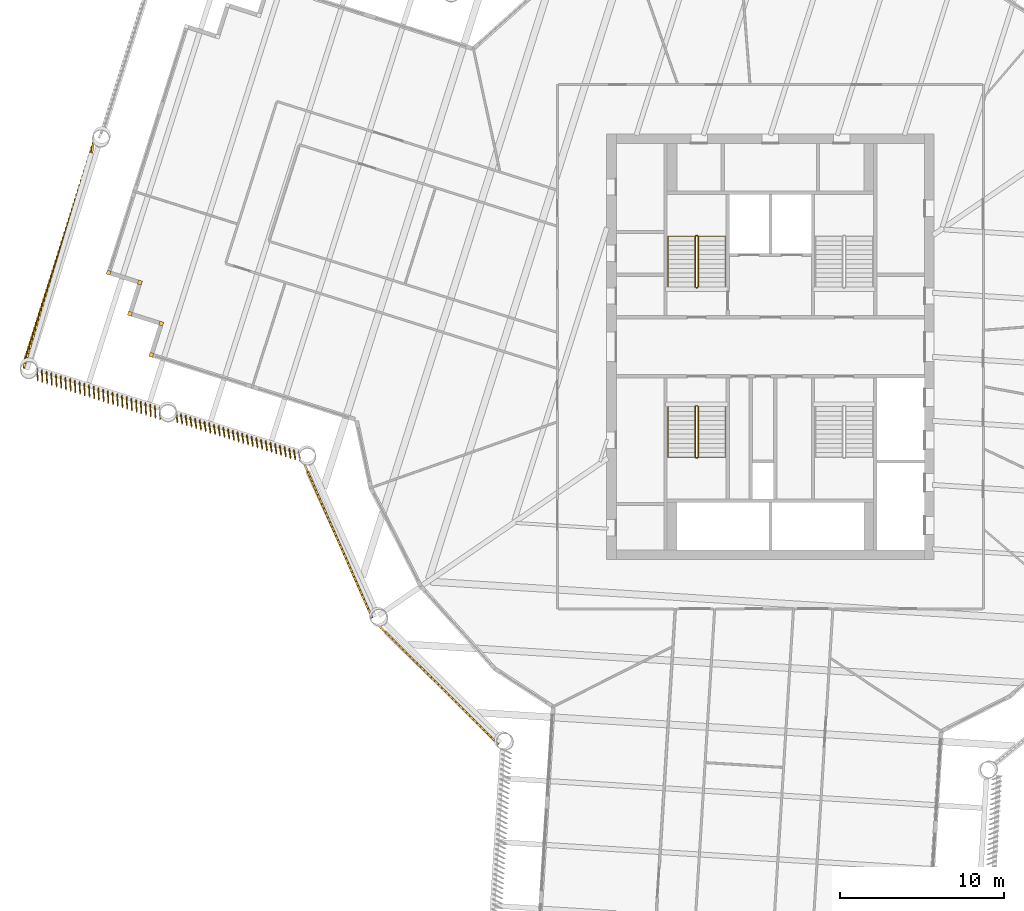
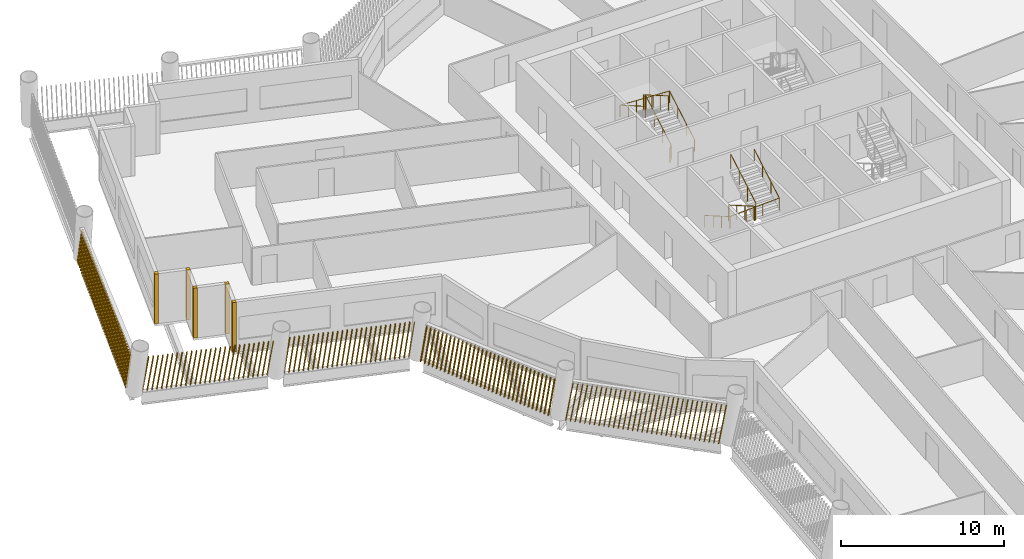
# One storey, part 12 of 15: 10 shading devices, 4 railings.
"""IFC4 building model written with IfcOpenShell, lengths in metres."""

import ifcopenshell
import ifcopenshell.guid

model = None  # the IFC model being written
_history = None  # IfcOwnerHistory: only IFC2X3 demands one
_inside = {}  # id of a spatial element -> (the spatial element, [elements in it])
_under = {}  # id of a project, library or spatial element -> (it, [spatial elements below it])
_declared = {}  # id of a project -> (the project, [libraries it declares])
_typed = {}  # id of a type object -> (the type object, [elements of that type])
_made_of = {}  # id of a material, layer set ... -> (it, [elements and type objects made of it])


def new_model(schema):
    """Start an empty IFC model of exactly this schema.

    Asked for "IFC4X3", IfcOpenShell would pick the latest addendum, in which some entities
    have other attributes; the version numbers below select the first issue.
    IFC2X3 requires an IfcOwnerHistory on every rooted entity: one is made here for all.
    """
    global model, _history
    if schema == "IFC4X3":
        model = ifcopenshell.file(schema_version=(4, 3, 0, 0))
    else:
        model = ifcopenshell.file(schema=schema)
    _inside.clear()
    _under.clear()
    _declared.clear()
    _typed.clear()
    _made_of.clear()
    _history = None
    if model.schema == "IFC2X3":
        org = make("IfcOrganization", Name="unknown")
        user = make(
            "IfcPersonAndOrganization",
            ThePerson=make("IfcPerson", FamilyName="unknown"),
            TheOrganization=org,
        )
        app = make(
            "IfcApplication",
            ApplicationDeveloper=org,
            Version="unknown",
            ApplicationFullName="unknown",
            ApplicationIdentifier="unknown",
        )
        _history = make(
            "IfcOwnerHistory",
            OwningUser=user,
            OwningApplication=app,
            ChangeAction="ADDED",
            CreationDate=0,
        )
    return model


def make(cls, **values):
    """One entity of the class cls with the attributes given. An attribute that is None is left unset."""
    return model.create_entity(
        cls, **{name: value for name, value in values.items() if value is not None}
    )


def rooted(cls, **values):
    """An entity with a GlobalId (a new one), such as an element, a storey or a relation."""
    return make(cls, GlobalId=ifcopenshell.guid.new(), OwnerHistory=_history, **values)


def si_unit(unit_type, name, prefix=None):
    """IfcSIUnit, for example si_unit("LENGTHUNIT", "METRE", prefix="MILLI")."""
    return make("IfcSIUnit", UnitType=unit_type, Prefix=prefix, Name=name)


def assignment(units):
    """IfcUnitAssignment: the units of a project."""
    return None if units is None else make("IfcUnitAssignment", Units=units)


def point(xyz):
    """IfcCartesianPoint."""
    return None if xyz is None else make("IfcCartesianPoint", Coordinates=xyz)


def direction(xyz):
    """IfcDirection."""
    return None if xyz is None else make("IfcDirection", DirectionRatios=xyz)


def frame(location, z_axis=None, x_axis=None):
    """IfcAxis2Placement3D, a coordinate frame: its origin and axes. An axis left out is left unset."""
    return make(
        "IfcAxis2Placement3D",
        Location=point(location),
        Axis=direction(z_axis),
        RefDirection=direction(x_axis),
    )


def frame_2d(location, x_axis=None):
    """IfcAxis2Placement2D, a coordinate frame in the plane: its origin and x axis."""
    return make(
        "IfcAxis2Placement2D", Location=point(location), RefDirection=direction(x_axis)
    )


def origin():
    """The frame at (0, 0, 0) with its axes left unset."""
    return frame((0.0, 0.0, 0.0))


def origin_2d():
    """The frame at (0, 0) in the plane with its x axis left unset."""
    return frame_2d((0.0, 0.0))


def place(relative_to, where):
    """IfcLocalPlacement: puts the frame where relative to a parent placement (None: the world)."""
    return make(
        "IfcLocalPlacement", PlacementRelTo=relative_to, RelativePlacement=where
    )


def context(
    kind, dimensions, precision=None, world=None, true_north=None, identifier=None
):
    """IfcGeometricRepresentationContext, for example the 3D "Model" context."""
    return make(
        "IfcGeometricRepresentationContext",
        ContextIdentifier=identifier,
        ContextType=kind,
        CoordinateSpaceDimension=dimensions,
        Precision=precision,
        WorldCoordinateSystem=world,
        TrueNorth=true_north,
    )


def subcontext(parent, identifier, kind, view, scale=None):
    """IfcGeometricRepresentationSubContext, for example "Body" below "Model"."""
    return make(
        "IfcGeometricRepresentationSubContext",
        ContextIdentifier=identifier,
        ContextType=kind,
        ParentContext=parent,
        TargetScale=scale,
        TargetView=view,
    )


def project(units=None, contexts=None):
    """IfcProject with its units and contexts."""
    return rooted(
        "IfcProject",
        Name="project",
        RepresentationContexts=contexts,
        UnitsInContext=assignment(units),
    )


def spatial(cls, under=None, at=None, **own):
    """A site, building, storey or space (cls), placed at a placement, below another one or the project."""
    s = rooted(cls, ObjectPlacement=at, **own)
    if under is not None:
        _under.setdefault(under.id(), (under, []))[1].append(s)
    return s


def profile(cls, at=None, kind="AREA", **sizes):
    """A parametric profile (cls). Its sizes go by their IFC names, for example OverallWidth=200.0."""
    return make(cls, ProfileType=kind, Position=at, **sizes)


def rectangle(**sizes):
    """IfcRectangleProfileDef."""
    return profile("IfcRectangleProfileDef", **sizes)


def circle(**sizes):
    """IfcCircleProfileDef."""
    return profile("IfcCircleProfileDef", **sizes)


def composite_profile(profiles, kind="AREA"):
    """IfcCompositeProfileDef: several profiles as one."""
    return make("IfcCompositeProfileDef", ProfileType=kind, Profiles=profiles)


def extrude(swept, where, along, depth):
    """IfcExtrudedAreaSolid: the profile swept, set in the frame where, extruded along a direction by depth."""
    return make(
        "IfcExtrudedAreaSolid",
        SweptArea=swept,
        Position=where,
        ExtrudedDirection=direction(along),
        Depth=depth,
    )


def shape(context_of_items, identifier, shape_type, items):
    """IfcShapeRepresentation: the items that make up one representation, for example the "Body"."""
    return make(
        "IfcShapeRepresentation",
        ContextOfItems=context_of_items,
        RepresentationIdentifier=identifier,
        RepresentationType=shape_type,
        Items=items,
    )


def material(Name=None, Category=None):
    """IfcMaterial."""
    return make("IfcMaterial", Name=Name, Category=Category)


def made_of(thing, what):
    """Note that an element or type object is made of a material, layer set ...; save() writes the relation."""
    if what is not None:
        _made_of.setdefault(what.id(), (what, []))[1].append(thing)
    return thing


def type_object(cls, material=None, **own):
    """A type object (cls), such as IfcWallType, which elements share."""
    return made_of(rooted(cls, **own), material)


def element(
    cls,
    number,
    at=None,
    inside=None,
    cuts=None,
    type_object=None,
    material=None,
    context=None,
    identifier="Body",
    shape_type=None,
    held_by="IfcProductDefinitionShape",
    body=None,
    shapes=None,
    **own,
):
    """One element of the class cls, such as IfcWall. Its Tag is "e" and its number.

    at: its placement. inside: the storey or other place that contains it. cuts: it is an
    opening in that element (IfcRelVoidsElement). A single representation is given by context,
    identifier, shape_type and body (its items); several are given by shapes. held_by: the class
    of the entity that holds the representations. save() writes the other relations.
    """
    e = rooted(cls, Tag="e%d" % number, ObjectPlacement=at, **own)
    if body is not None:
        shapes = [shape(context, identifier, shape_type, body)]
    if shapes is not None:
        e.Representation = make(held_by, Representations=shapes)
    if inside is not None:
        _inside.setdefault(inside.id(), (inside, []))[1].append(e)
    if cuts is not None:
        rooted(
            "IfcRelVoidsElement", RelatingBuildingElement=cuts, RelatedOpeningElement=e
        )
    if type_object is not None:
        _typed.setdefault(type_object.id(), (type_object, []))[1].append(e)
    return made_of(e, material)


def aggregate(whole, parts):
    """IfcRelAggregates: a whole, such as a stair, and the parts it consists of."""
    return rooted("IfcRelAggregates", RelatingObject=whole, RelatedObjects=parts)


def save(model, path):
    """Write the relations noted so far, then the file.

    IfcRelAggregates (storeys below a building ...), IfcRelContainedInSpatialStructure (elements
    in a storey), IfcRelDefinesByType, IfcRelAssociatesMaterial and IfcRelDeclares: one each for
    every whole, place, type object, material and project.
    """
    for whole, parts in _under.values():
        aggregate(whole, parts)
    for where, things in _inside.values():
        rooted(
            "IfcRelContainedInSpatialStructure",
            RelatedElements=things,
            RelatingStructure=where,
        )
    for kind, things in _typed.values():
        rooted("IfcRelDefinesByType", RelatedObjects=things, RelatingType=kind)
    for what, things in _made_of.values():
        rooted("IfcRelAssociatesMaterial", RelatedObjects=things, RelatingMaterial=what)
    for by, libraries in _declared.values():
        rooted("IfcRelDeclares", RelatingContext=by, RelatedDefinitions=libraries)
    model.write(path)


model = new_model("IFC4")

# Units and contexts
model_context = context("Model", 3, precision=1e-05, world=origin(), true_north=direction((0.0, 1.0)))
body_context = subcontext(model_context, "Body", "Model", "MODEL_VIEW")
ifc_project = project(units=[si_unit("LENGTHUNIT", "METRE"), si_unit("AREAUNIT", "SQUARE_METRE"), si_unit("VOLUMEUNIT", "CUBIC_METRE"), si_unit("PLANEANGLEUNIT", "RADIAN"), si_unit("MASSUNIT", "GRAM", prefix="KILO")], contexts=[model_context])

# Site, building, storey
site_placement = place(None, origin())
site = spatial("IfcSite", under=ifc_project, at=site_placement, CompositionType="ELEMENT")
building_placement = place(site_placement, origin())
building = spatial("IfcBuilding", under=site, at=building_placement, Name="Tarsis Ring Headquarters", CompositionType="ELEMENT")
storey_placement = place(building_placement, frame((0.0, 0.0, 212.10009765625)))
storey = spatial("IfcBuildingStorey", under=building, at=storey_placement, Name="L49", CompositionType="ELEMENT", Elevation=212.10009765625)

# Railings
ifc_material_1 = material(Name="Steel S355", Category="steel")
railing_type_1 = type_object("IfcRailingType", Name="Core stair guard 1100", PredefinedType="GUARDRAIL", material=ifc_material_1)
railing_1_placement = place(storey_placement, frame((-4.5400390625, 3.610107421875, 0.0)))
element("IfcRailing", 1, at=railing_1_placement, inside=storey, type_object=railing_type_1, Name="L49 ST1 stair guard 1", PredefinedType="GUARDRAIL", context=body_context, shape_type="SweptSolid", body=[
    extrude(circle(Radius=0.02392578125, at=origin_2d()), frame((0.0, 0.0, 1.076171875), z_axis=(1.0, 0.0, 0.0), x_axis=(0.0, 1.0, 0.0)), (0.0, 0.0, 1.0), 0.080078125),
    extrude(circle(Radius=0.02392578125, at=origin_2d()), frame((0.080078125, 0.0, 1.076171875), z_axis=(0.282693820306, 0.281314826061, 0.917031173188), x_axis=(-0.705375805398, 0.708833529934, 0.0)), (0.0, 0.0, 1.0), 0.177001953125),
    extrude(circle(Radius=0.02392578125, at=origin_2d()), frame((0.130126953125, 0.0498046875, 1.23828125), z_axis=(0.0, 0.864890721111, 0.501960198159), x_axis=(-1.0, 0.0, 0.0)), (0.0, 0.0, 1.0), 3.561279296875),
    extrude(circle(Radius=0.02392578125, at=origin_2d()), frame((0.130126953125, 3.1298828125, 3.02587890625), z_axis=(-0.707106781187, 0.707106781187, 0.0), x_axis=(-0.707106781187, -0.707106781187, 0.0)), (0.0, 0.0, 1.0), 0.07080078125),
    extrude(circle(Radius=0.02392578125, at=origin_2d()), frame((0.080078125, 3.179931640625, 3.02587890625), z_axis=(-1.0, 0.0, 0.0), x_axis=(0.0, -1.0, 0.0)), (0.0, 0.0, 1.0), 0.080078125),
    extrude(circle(Radius=0.02392578125, at=origin_2d()), frame((0.0, 3.179931640625, 3.02587890625), z_axis=(-0.282583949758, -0.282583949758, 0.916674763849), x_axis=(0.707106781187, -0.707106781187, 0.0)), (0.0, 0.0, 1.0), 0.177001953125),
    extrude(circle(Radius=0.02392578125, at=origin_2d()), frame((-0.050048828125, 3.1298828125, 3.1884765625), z_axis=(0.0, -0.864890721111, 0.501960198159), x_axis=(1.0, 0.0, 0.0)), (0.0, 0.0, 1.0), 3.561279296875),
    extrude(circle(Radius=0.02099609375, at=origin_2d()), origin(), (0.0, 0.0, 1.0), 1.052001953125),
    extrude(circle(Radius=0.02099609375, at=origin_2d()), frame((0.080078125, 0.0, 0.0)), (0.0, 0.0, 1.0), 1.052001953125),
    extrude(circle(Radius=0.02099609375, at=origin_2d()), frame((0.130126953125, 0.0498046875, 0.162353515625)), (0.0, 0.0, 1.0), 1.052001953125),
    extrude(circle(Radius=0.02099609375, at=origin_2d()), frame((0.130126953125, 1.076416015625, 0.75830078125)), (0.0, 0.0, 1.0), 1.052001953125),
    extrude(circle(Radius=0.02099609375, at=origin_2d()), frame((0.130126953125, 2.103271484375, 1.35400390625)), (0.0, 0.0, 1.0), 1.052001953125),
    extrude(circle(Radius=0.02099609375, at=origin_2d()), frame((0.130126953125, 3.1298828125, 1.949951171875)), (0.0, 0.0, 1.0), 1.052001953125),
    extrude(circle(Radius=0.02099609375, at=origin_2d()), frame((0.080078125, 3.179931640625, 1.949951171875)), (0.0, 0.0, 1.0), 1.052001953125),
    extrude(circle(Radius=0.02099609375, at=origin_2d()), frame((0.0, 3.179931640625, 1.949951171875)), (0.0, 0.0, 1.0), 1.052001953125),
    extrude(circle(Radius=0.02099609375, at=origin_2d()), frame((-0.050048828125, 3.1298828125, 2.1123046875)), (0.0, 0.0, 1.0), 1.052001953125),
    extrude(circle(Radius=0.02099609375, at=origin_2d()), frame((-0.050048828125, 2.103271484375, 2.708251953125)), (0.0, 0.0, 1.0), 1.052001953125),
    extrude(circle(Radius=0.02099609375, at=origin_2d()), frame((-0.050048828125, 1.076416015625, 3.303955078125)), (0.0, 0.0, 1.0), 1.052001953125),
    extrude(circle(Radius=0.02099609375, at=origin_2d()), frame((-0.050048828125, 0.0498046875, 3.89990234375)), (0.0, 0.0, 1.0), 1.052001953125),
])
railing_2_placement = place(storey_placement, frame((-4.4599609375, -3.610107421875, 0.0)))
element("IfcRailing", 2, at=railing_2_placement, inside=storey, type_object=railing_type_1, Name="L49 ST3 stair guard 1", PredefinedType="GUARDRAIL", context=body_context, shape_type="SweptSolid", body=[
    extrude(circle(Radius=0.02392578125, at=origin_2d()), frame((0.0, 0.0, 1.076171875), z_axis=(-1.0, 0.0, 0.0), x_axis=(0.0, -1.0, 0.0)), (0.0, 0.0, 1.0), 0.080078125),
    extrude(circle(Radius=0.02392578125, at=origin_2d()), frame((-0.080078125, 0.0, 1.076171875), z_axis=(-0.282693820306, -0.281314826061, 0.917031173188), x_axis=(0.705375805398, -0.708833529934, 0.0)), (0.0, 0.0, 1.0), 0.177001953125),
    extrude(circle(Radius=0.02392578125, at=origin_2d()), frame((-0.130126953125, -0.0498046875, 1.23828125), z_axis=(0.0, -0.864890721111, 0.501960198159), x_axis=(1.0, 0.0, 0.0)), (0.0, 0.0, 1.0), 3.561279296875),
    extrude(circle(Radius=0.02392578125, at=origin_2d()), frame((-0.130126953125, -3.1298828125, 3.02587890625), z_axis=(0.707106781187, -0.707106781187, 0.0), x_axis=(0.707106781187, 0.707106781187, 0.0)), (0.0, 0.0, 1.0), 0.07080078125),
    extrude(circle(Radius=0.02392578125, at=origin_2d()), frame((-0.080078125, -3.179931640625, 3.02587890625), z_axis=(1.0, 0.0, 0.0), x_axis=(0.0, 1.0, 0.0)), (0.0, 0.0, 1.0), 0.080078125),
    extrude(circle(Radius=0.02392578125, at=origin_2d()), frame((0.0, -3.179931640625, 3.02587890625), z_axis=(0.282583949758, 0.282583949758, 0.916674763849), x_axis=(-0.707106781187, 0.707106781187, 0.0)), (0.0, 0.0, 1.0), 0.177001953125),
    extrude(circle(Radius=0.02392578125, at=origin_2d()), frame((0.050048828125, -3.1298828125, 3.1884765625), z_axis=(0.0, 0.864890721111, 0.501960198159), x_axis=(-1.0, 0.0, 0.0)), (0.0, 0.0, 1.0), 3.561279296875),
    extrude(circle(Radius=0.02099609375, at=origin_2d()), origin(), (0.0, 0.0, 1.0), 1.052001953125),
    extrude(circle(Radius=0.02099609375, at=origin_2d()), frame((-0.080078125, 0.0, 0.0)), (0.0, 0.0, 1.0), 1.052001953125),
    extrude(circle(Radius=0.02099609375, at=origin_2d()), frame((-0.130126953125, -0.0498046875, 0.162353515625)), (0.0, 0.0, 1.0), 1.052001953125),
    extrude(circle(Radius=0.02099609375, at=origin_2d()), frame((-0.130126953125, -1.076416015625, 0.75830078125)), (0.0, 0.0, 1.0), 1.052001953125),
    extrude(circle(Radius=0.02099609375, at=origin_2d()), frame((-0.130126953125, -2.103271484375, 1.35400390625)), (0.0, 0.0, 1.0), 1.052001953125),
    extrude(circle(Radius=0.02099609375, at=origin_2d()), frame((-0.130126953125, -3.1298828125, 1.949951171875)), (0.0, 0.0, 1.0), 1.052001953125),
    extrude(circle(Radius=0.02099609375, at=origin_2d()), frame((-0.080078125, -3.179931640625, 1.949951171875)), (0.0, 0.0, 1.0), 1.052001953125),
    extrude(circle(Radius=0.02099609375, at=origin_2d()), frame((0.0, -3.179931640625, 1.949951171875)), (0.0, 0.0, 1.0), 1.052001953125),
    extrude(circle(Radius=0.02099609375, at=origin_2d()), frame((0.050048828125, -3.1298828125, 2.1123046875)), (0.0, 0.0, 1.0), 1.052001953125),
    extrude(circle(Radius=0.02099609375, at=origin_2d()), frame((0.050048828125, -2.103271484375, 2.708251953125)), (0.0, 0.0, 1.0), 1.052001953125),
    extrude(circle(Radius=0.02099609375, at=origin_2d()), frame((0.050048828125, -1.076416015625, 3.303955078125)), (0.0, 0.0, 1.0), 1.052001953125),
    extrude(circle(Radius=0.02099609375, at=origin_2d()), frame((0.050048828125, -0.0498046875, 3.89990234375)), (0.0, 0.0, 1.0), 1.052001953125),
])
railing_type_2 = type_object("IfcRailingType", Name="Core stair handrail 900", PredefinedType="HANDRAIL", material=ifc_material_1)
railing_3_placement = place(storey_placement, frame((-2.75, 3.659912109375, 0.162353515625)))
element("IfcRailing", 3, at=railing_3_placement, inside=storey, type_object=railing_type_2, Name="L49 ST1 stair handrail 1", PredefinedType="HANDRAIL", context=body_context, shape_type="SweptSolid", body=[
    extrude(circle(Radius=0.02392578125, at=origin_2d()), frame((0.0, 0.0, 0.8759765625), z_axis=(0.0, 0.864890721111, 0.501960198159), x_axis=(-1.0, 0.0, 0.0)), (0.0, 0.0, 1.0), 3.561279296875),
    extrude(circle(Radius=0.02392578125, at=origin_2d()), frame((0.0, 3.080078125, 2.66357421875), z_axis=(-0.998925869279, 0.0, 0.04633689335), x_axis=(0.0, -1.0, 0.0)), (0.0, 0.0, 1.0), 3.503662109375),
    extrude(circle(Radius=0.02392578125, at=origin_2d()), frame((-3.5, 3.080078125, 2.82568359375), z_axis=(0.0, -0.864890721111, 0.501960198159), x_axis=(1.0, 0.0, 0.0)), (0.0, 0.0, 1.0), 3.561279296875),
    extrude(circle(Radius=0.02099609375, at=origin_2d()), origin(), (0.0, 0.0, 1.0), 0.851806640625),
    extrude(circle(Radius=0.02099609375, at=origin_2d()), frame((0.0, 1.026611328125, 0.595947265625)), (0.0, 0.0, 1.0), 0.851806640625),
    extrude(circle(Radius=0.02099609375, at=origin_2d()), frame((0.0, 2.053466796875, 1.191650390625)), (0.0, 0.0, 1.0), 0.851806640625),
    extrude(circle(Radius=0.02099609375, at=origin_2d()), frame((0.0, 3.080078125, 1.78759765625)), (0.0, 0.0, 1.0), 0.851806640625),
    extrude(circle(Radius=0.02099609375, at=origin_2d()), frame((-1.166748046875, 3.080078125, 1.841796875)), (0.0, 0.0, 1.0), 0.851806640625),
    extrude(circle(Radius=0.02099609375, at=origin_2d()), frame((-2.333251953125, 3.080078125, 1.895751953125)), (0.0, 0.0, 1.0), 0.851806640625),
    extrude(circle(Radius=0.02099609375, at=origin_2d()), frame((-3.5, 3.080078125, 1.949951171875)), (0.0, 0.0, 1.0), 0.851806640625),
    extrude(circle(Radius=0.02099609375, at=origin_2d()), frame((-3.5, 2.053466796875, 2.5458984375)), (0.0, 0.0, 1.0), 0.851806640625),
    extrude(circle(Radius=0.02099609375, at=origin_2d()), frame((-3.5, 1.026611328125, 3.1416015625)), (0.0, 0.0, 1.0), 0.851806640625),
    extrude(circle(Radius=0.02099609375, at=origin_2d()), frame((-3.5, 0.0, 3.737548828125)), (0.0, 0.0, 1.0), 0.851806640625),
])
railing_4_placement = place(storey_placement, frame((-6.25, -3.659912109375, 0.162353515625)))
element("IfcRailing", 4, at=railing_4_placement, inside=storey, type_object=railing_type_2, Name="L49 ST3 stair handrail 1", PredefinedType="HANDRAIL", context=body_context, shape_type="SweptSolid", body=[
    extrude(circle(Radius=0.02392578125, at=origin_2d()), frame((0.0, 0.0, 0.8759765625), z_axis=(0.0, -0.864890721111, 0.501960198159), x_axis=(1.0, 0.0, 0.0)), (0.0, 0.0, 1.0), 3.561279296875),
    extrude(circle(Radius=0.02392578125, at=origin_2d()), frame((0.0, -3.080078125, 2.66357421875), z_axis=(0.998925869279, 0.0, 0.04633689335), x_axis=(0.0, 1.0, 0.0)), (0.0, 0.0, 1.0), 3.503662109375),
    extrude(circle(Radius=0.02392578125, at=origin_2d()), frame((3.5, -3.080078125, 2.82568359375), z_axis=(0.0, 0.864890721111, 0.501960198159), x_axis=(-1.0, 0.0, 0.0)), (0.0, 0.0, 1.0), 3.561279296875),
    extrude(circle(Radius=0.02099609375, at=origin_2d()), origin(), (0.0, 0.0, 1.0), 0.851806640625),
    extrude(circle(Radius=0.02099609375, at=origin_2d()), frame((0.0, -1.026611328125, 0.595947265625)), (0.0, 0.0, 1.0), 0.851806640625),
    extrude(circle(Radius=0.02099609375, at=origin_2d()), frame((0.0, -2.053466796875, 1.191650390625)), (0.0, 0.0, 1.0), 0.851806640625),
    extrude(circle(Radius=0.02099609375, at=origin_2d()), frame((0.0, -3.080078125, 1.78759765625)), (0.0, 0.0, 1.0), 0.851806640625),
    extrude(circle(Radius=0.02099609375, at=origin_2d()), frame((1.166748046875, -3.080078125, 1.841796875)), (0.0, 0.0, 1.0), 0.851806640625),
    extrude(circle(Radius=0.02099609375, at=origin_2d()), frame((2.333251953125, -3.080078125, 1.895751953125)), (0.0, 0.0, 1.0), 0.851806640625),
    extrude(circle(Radius=0.02099609375, at=origin_2d()), frame((3.5, -3.080078125, 1.949951171875)), (0.0, 0.0, 1.0), 0.851806640625),
    extrude(circle(Radius=0.02099609375, at=origin_2d()), frame((3.5, -2.053466796875, 2.5458984375)), (0.0, 0.0, 1.0), 0.851806640625),
    extrude(circle(Radius=0.02099609375, at=origin_2d()), frame((3.5, -1.026611328125, 3.1416015625)), (0.0, 0.0, 1.0), 0.851806640625),
    extrude(circle(Radius=0.02099609375, at=origin_2d()), frame((3.5, 0.0, 3.737548828125)), (0.0, 0.0, 1.0), 0.851806640625),
])

# Shading devices
ifc_material_2 = material(Name="Terracotta baguette", Category="masonry")
shading_device_type_1 = type_object("IfcShadingDeviceType", Name="Terracotta baguette screen", PredefinedType="USERDEFINED", material=ifc_material_2)
shading_device_1_placement = place(storey_placement, frame((-23.8671875, -17.046630859375, 0.0), z_axis=(0.0, 0.0, 1.0), x_axis=(0.708657089319, -0.705559025609, 0.0)))
element("IfcShadingDevice", 5, at=shading_device_1_placement, inside=storey, type_object=shading_device_type_1, Name="Baguette screen L49-00", ObjectType="Terracotta baguette screen", PredefinedType="USERDEFINED", context=body_context, shape_type="SweptSolid", body=[
    extrude(composite_profile([rectangle(XDim=0.06005859375, YDim=0.1201171875, at=frame_2d((0.030029296875, 0.0))), rectangle(XDim=0.06005859375, YDim=0.1201171875, at=frame_2d((0.33349609375, 0.0))), rectangle(XDim=0.06005859375, YDim=0.1201171875, at=frame_2d((0.636962890625, 0.0))), rectangle(XDim=0.06005859375, YDim=0.1201171875, at=frame_2d((0.9404296875, 0.0))), rectangle(XDim=0.06005859375, YDim=0.1201171875, at=frame_2d((1.243896484375, 0.0))), rectangle(XDim=0.06005859375, YDim=0.1201171875, at=frame_2d((1.54736328125, 0.0))), rectangle(XDim=0.06005859375, YDim=0.1201171875, at=frame_2d((1.85107421875, 0.0))), rectangle(XDim=0.06005859375, YDim=0.1201171875, at=frame_2d((2.154541015625, 0.0))), rectangle(XDim=0.06005859375, YDim=0.1201171875, at=frame_2d((2.4580078125, 0.0))), rectangle(XDim=0.06005859375, YDim=0.1201171875, at=frame_2d((2.761474609375, 0.0))), rectangle(XDim=0.06005859375, YDim=0.1201171875, at=frame_2d((3.06494140625, 0.0))), rectangle(XDim=0.06005859375, YDim=0.1201171875, at=frame_2d((3.368408203125, 0.0))), rectangle(XDim=0.06005859375, YDim=0.1201171875, at=frame_2d((3.671875, 0.0))), rectangle(XDim=0.06005859375, YDim=0.1201171875, at=frame_2d((3.975341796875, 0.0))), rectangle(XDim=0.06005859375, YDim=0.1201171875, at=frame_2d((4.27880859375, 0.0))), rectangle(XDim=0.06005859375, YDim=0.1201171875, at=frame_2d((4.582275390625, 0.0))), rectangle(XDim=0.06005859375, YDim=0.1201171875, at=frame_2d((4.8857421875, 0.0))), rectangle(XDim=0.06005859375, YDim=0.1201171875, at=frame_2d((5.189453125, 0.0))), rectangle(XDim=0.06005859375, YDim=0.1201171875, at=frame_2d((5.492919921875, 0.0))), rectangle(XDim=0.06005859375, YDim=0.1201171875, at=frame_2d((5.79638671875, 0.0))), rectangle(XDim=0.06005859375, YDim=0.1201171875, at=frame_2d((6.099853515625, 0.0))), rectangle(XDim=0.06005859375, YDim=0.1201171875, at=frame_2d((6.4033203125, 0.0))), rectangle(XDim=0.06005859375, YDim=0.1201171875, at=frame_2d((6.706787109375, 0.0))), rectangle(XDim=0.06005859375, YDim=0.1201171875, at=frame_2d((7.01025390625, 0.0))), rectangle(XDim=0.06005859375, YDim=0.1201171875, at=frame_2d((7.313720703125, 0.0))), rectangle(XDim=0.06005859375, YDim=0.1201171875, at=frame_2d((7.6171875, 0.0))), rectangle(XDim=0.06005859375, YDim=0.1201171875, at=frame_2d((7.920654296875, 0.0))), rectangle(XDim=0.06005859375, YDim=0.1201171875, at=frame_2d((8.224365234375, 0.0))), rectangle(XDim=0.06005859375, YDim=0.1201171875, at=frame_2d((8.52783203125, 0.0))), rectangle(XDim=0.06005859375, YDim=0.1201171875, at=frame_2d((8.831298828125, 0.0))), rectangle(XDim=0.06005859375, YDim=0.1201171875, at=frame_2d((9.134765625, 0.0))), rectangle(XDim=0.06005859375, YDim=0.1201171875, at=frame_2d((9.438232421875, 0.0))), rectangle(XDim=0.06005859375, YDim=0.1201171875, at=frame_2d((9.74169921875, 0.0)))]), origin(), (0.16208040759, 0.001356254138, 0.986776622164), 2.989501953125),
])
shading_device_2_placement = place(storey_placement, frame((-41.31396484375, 12.54931640625, 0.0), z_axis=(0.0, 0.0, 1.0), x_axis=(-0.301707209199, -0.953401149934, 0.0)))
element("IfcShadingDevice", 6, at=shading_device_2_placement, inside=storey, type_object=shading_device_type_1, Name="Baguette screen L49-18", ObjectType="Terracotta baguette screen", PredefinedType="USERDEFINED", context=body_context, shape_type="SweptSolid", body=[
    extrude(composite_profile([rectangle(XDim=0.06005859375, YDim=0.1201171875, at=frame_2d((0.030029296875, 0.0))), rectangle(XDim=0.06005859375, YDim=0.1201171875, at=frame_2d((0.33544921875, 0.0))), rectangle(XDim=0.06005859375, YDim=0.1201171875, at=frame_2d((0.640625, 0.0))), rectangle(XDim=0.06005859375, YDim=0.1201171875, at=frame_2d((0.946044921875, 0.0))), rectangle(XDim=0.06005859375, YDim=0.1201171875, at=frame_2d((1.25146484375, 0.0))), rectangle(XDim=0.06005859375, YDim=0.1201171875, at=frame_2d((1.556640625, 0.0))), rectangle(XDim=0.06005859375, YDim=0.1201171875, at=frame_2d((1.862060546875, 0.0))), rectangle(XDim=0.06005859375, YDim=0.1201171875, at=frame_2d((2.16748046875, 0.0))), rectangle(XDim=0.06005859375, YDim=0.1201171875, at=frame_2d((2.47265625, 0.0))), rectangle(XDim=0.06005859375, YDim=0.1201171875, at=frame_2d((2.778076171875, 0.0))), rectangle(XDim=0.06005859375, YDim=0.1201171875, at=frame_2d((3.08349609375, 0.0))), rectangle(XDim=0.06005859375, YDim=0.1201171875, at=frame_2d((3.388671875, 0.0))), rectangle(XDim=0.06005859375, YDim=0.1201171875, at=frame_2d((3.694091796875, 0.0))), rectangle(XDim=0.06005859375, YDim=0.1201171875, at=frame_2d((3.99951171875, 0.0))), rectangle(XDim=0.06005859375, YDim=0.1201171875, at=frame_2d((4.3046875, 0.0))), rectangle(XDim=0.06005859375, YDim=0.1201171875, at=frame_2d((4.610107421875, 0.0))), rectangle(XDim=0.06005859375, YDim=0.1201171875, at=frame_2d((4.91552734375, 0.0))), rectangle(XDim=0.06005859375, YDim=0.1201171875, at=frame_2d((5.220703125, 0.0))), rectangle(XDim=0.06005859375, YDim=0.1201171875, at=frame_2d((5.526123046875, 0.0))), rectangle(XDim=0.06005859375, YDim=0.1201171875, at=frame_2d((5.83154296875, 0.0))), rectangle(XDim=0.06005859375, YDim=0.1201171875, at=frame_2d((6.13671875, 0.0))), rectangle(XDim=0.06005859375, YDim=0.1201171875, at=frame_2d((6.442138671875, 0.0))), rectangle(XDim=0.06005859375, YDim=0.1201171875, at=frame_2d((6.74755859375, 0.0))), rectangle(XDim=0.06005859375, YDim=0.1201171875, at=frame_2d((7.052734375, 0.0))), rectangle(XDim=0.06005859375, YDim=0.1201171875, at=frame_2d((7.358154296875, 0.0))), rectangle(XDim=0.06005859375, YDim=0.1201171875, at=frame_2d((7.66357421875, 0.0))), rectangle(XDim=0.06005859375, YDim=0.1201171875, at=frame_2d((7.96875, 0.0))), rectangle(XDim=0.06005859375, YDim=0.1201171875, at=frame_2d((8.274169921875, 0.0))), rectangle(XDim=0.06005859375, YDim=0.1201171875, at=frame_2d((8.57958984375, 0.0))), rectangle(XDim=0.06005859375, YDim=0.1201171875, at=frame_2d((8.884765625, 0.0))), rectangle(XDim=0.06005859375, YDim=0.1201171875, at=frame_2d((9.190185546875, 0.0))), rectangle(XDim=0.06005859375, YDim=0.1201171875, at=frame_2d((9.49560546875, 0.0))), rectangle(XDim=0.06005859375, YDim=0.1201171875, at=frame_2d((9.80078125, 0.0))), rectangle(XDim=0.06005859375, YDim=0.1201171875, at=frame_2d((10.106201171875, 0.0))), rectangle(XDim=0.06005859375, YDim=0.1201171875, at=frame_2d((10.41162109375, 0.0))), rectangle(XDim=0.06005859375, YDim=0.1201171875, at=frame_2d((10.716796875, 0.0))), rectangle(XDim=0.06005859375, YDim=0.1201171875, at=frame_2d((11.022216796875, 0.0))), rectangle(XDim=0.06005859375, YDim=0.1201171875, at=frame_2d((11.32763671875, 0.0))), rectangle(XDim=0.06005859375, YDim=0.1201171875, at=frame_2d((11.6328125, 0.0))), rectangle(XDim=0.06005859375, YDim=0.1201171875, at=frame_2d((11.938232421875, 0.0))), rectangle(XDim=0.06005859375, YDim=0.1201171875, at=frame_2d((12.24365234375, 0.0))), rectangle(XDim=0.06005859375, YDim=0.1201171875, at=frame_2d((12.548828125, 0.0))), rectangle(XDim=0.06005859375, YDim=0.1201171875, at=frame_2d((12.854248046875, 0.0))), rectangle(XDim=0.06005859375, YDim=0.1201171875, at=frame_2d((13.15966796875, 0.0))), rectangle(XDim=0.06005859375, YDim=0.1201171875, at=frame_2d((13.46484375, 0.0))), rectangle(XDim=0.06005859375, YDim=0.1201171875, at=frame_2d((13.770263671875, 0.0)))]), origin(), (0.237618425932, 0.042779497753, 0.970416095409), 3.039794921875),
])
shading_device_3_placement = place(storey_placement, frame((-44.794189453125, -1.34814453125, 0.0), z_axis=(0.0, 0.0, 1.0), x_axis=(0.953410776075, -0.301717745922, 0.0)))
element("IfcShadingDevice", 7, at=shading_device_3_placement, inside=storey, type_object=shading_device_type_1, Name="Baguette screen L49-19", ObjectType="Terracotta baguette screen", PredefinedType="USERDEFINED", context=body_context, shape_type="SweptSolid", body=[
    extrude(composite_profile([rectangle(XDim=0.06005859375, YDim=0.1201171875, at=frame_2d((0.030029296875, 0.0))), rectangle(XDim=0.06005859375, YDim=0.1201171875, at=frame_2d((0.33154296875, 0.0))), rectangle(XDim=0.06005859375, YDim=0.1201171875, at=frame_2d((0.63330078125, 0.0))), rectangle(XDim=0.06005859375, YDim=0.1201171875, at=frame_2d((0.934814453125, 0.0))), rectangle(XDim=0.06005859375, YDim=0.1201171875, at=frame_2d((1.236572265625, 0.0))), rectangle(XDim=0.06005859375, YDim=0.1201171875, at=frame_2d((1.5380859375, 0.0))), rectangle(XDim=0.06005859375, YDim=0.1201171875, at=frame_2d((1.83984375, 0.0))), rectangle(XDim=0.06005859375, YDim=0.1201171875, at=frame_2d((2.141357421875, 0.0))), rectangle(XDim=0.06005859375, YDim=0.1201171875, at=frame_2d((2.443115234375, 0.0))), rectangle(XDim=0.06005859375, YDim=0.1201171875, at=frame_2d((2.74462890625, 0.0))), rectangle(XDim=0.06005859375, YDim=0.1201171875, at=frame_2d((3.04638671875, 0.0))), rectangle(XDim=0.06005859375, YDim=0.1201171875, at=frame_2d((3.347900390625, 0.0))), rectangle(XDim=0.06005859375, YDim=0.1201171875, at=frame_2d((3.649658203125, 0.0))), rectangle(XDim=0.06005859375, YDim=0.1201171875, at=frame_2d((3.951171875, 0.0))), rectangle(XDim=0.06005859375, YDim=0.1201171875, at=frame_2d((4.252685546875, 0.0))), rectangle(XDim=0.06005859375, YDim=0.1201171875, at=frame_2d((4.554443359375, 0.0))), rectangle(XDim=0.06005859375, YDim=0.1201171875, at=frame_2d((4.85595703125, 0.0))), rectangle(XDim=0.06005859375, YDim=0.1201171875, at=frame_2d((5.15771484375, 0.0))), rectangle(XDim=0.06005859375, YDim=0.1201171875, at=frame_2d((5.459228515625, 0.0))), rectangle(XDim=0.06005859375, YDim=0.1201171875, at=frame_2d((5.760986328125, 0.0))), rectangle(XDim=0.06005859375, YDim=0.1201171875, at=frame_2d((6.0625, 0.0))), rectangle(XDim=0.06005859375, YDim=0.1201171875, at=frame_2d((6.3642578125, 0.0))), rectangle(XDim=0.06005859375, YDim=0.1201171875, at=frame_2d((6.665771484375, 0.0))), rectangle(XDim=0.06005859375, YDim=0.1201171875, at=frame_2d((6.967529296875, 0.0))), rectangle(XDim=0.06005859375, YDim=0.1201171875, at=frame_2d((7.26904296875, 0.0))), rectangle(XDim=0.06005859375, YDim=0.1201171875, at=frame_2d((7.57080078125, 0.0))), rectangle(XDim=0.06005859375, YDim=0.1201171875, at=frame_2d((7.872314453125, 0.0)))]), origin(), (0.0836359346, -0.211416236441, 0.97381117544), 3.029296875),
])
shading_device_4_placement = place(storey_placement, frame((-36.306640625, -4.0341796875, 0.0), z_axis=(0.0, 0.0, 1.0), x_axis=(0.95340933667, -0.301696172027, 0.0)))
element("IfcShadingDevice", 8, at=shading_device_4_placement, inside=storey, type_object=shading_device_type_1, Name="Baguette screen L49-20", ObjectType="Terracotta baguette screen", PredefinedType="USERDEFINED", context=body_context, shape_type="SweptSolid", body=[
    extrude(composite_profile([rectangle(XDim=0.06005859375, YDim=0.1201171875, at=frame_2d((0.030029296875, 0.0))), rectangle(XDim=0.06005859375, YDim=0.1201171875, at=frame_2d((0.33154296875, 0.0))), rectangle(XDim=0.06005859375, YDim=0.1201171875, at=frame_2d((0.63330078125, 0.0))), rectangle(XDim=0.06005859375, YDim=0.1201171875, at=frame_2d((0.934814453125, 0.0))), rectangle(XDim=0.06005859375, YDim=0.1201171875, at=frame_2d((1.236572265625, 0.0))), rectangle(XDim=0.06005859375, YDim=0.1201171875, at=frame_2d((1.5380859375, 0.0))), rectangle(XDim=0.06005859375, YDim=0.1201171875, at=frame_2d((1.83984375, 0.0))), rectangle(XDim=0.06005859375, YDim=0.1201171875, at=frame_2d((2.141357421875, 0.0))), rectangle(XDim=0.06005859375, YDim=0.1201171875, at=frame_2d((2.443115234375, 0.0))), rectangle(XDim=0.06005859375, YDim=0.1201171875, at=frame_2d((2.74462890625, 0.0))), rectangle(XDim=0.06005859375, YDim=0.1201171875, at=frame_2d((3.04638671875, 0.0))), rectangle(XDim=0.06005859375, YDim=0.1201171875, at=frame_2d((3.347900390625, 0.0))), rectangle(XDim=0.06005859375, YDim=0.1201171875, at=frame_2d((3.649658203125, 0.0))), rectangle(XDim=0.06005859375, YDim=0.1201171875, at=frame_2d((3.951171875, 0.0))), rectangle(XDim=0.06005859375, YDim=0.1201171875, at=frame_2d((4.252685546875, 0.0))), rectangle(XDim=0.06005859375, YDim=0.1201171875, at=frame_2d((4.554443359375, 0.0))), rectangle(XDim=0.06005859375, YDim=0.1201171875, at=frame_2d((4.85595703125, 0.0))), rectangle(XDim=0.06005859375, YDim=0.1201171875, at=frame_2d((5.15771484375, 0.0))), rectangle(XDim=0.06005859375, YDim=0.1201171875, at=frame_2d((5.459228515625, 0.0))), rectangle(XDim=0.06005859375, YDim=0.1201171875, at=frame_2d((5.760986328125, 0.0))), rectangle(XDim=0.06005859375, YDim=0.1201171875, at=frame_2d((6.0625, 0.0))), rectangle(XDim=0.06005859375, YDim=0.1201171875, at=frame_2d((6.3642578125, 0.0))), rectangle(XDim=0.06005859375, YDim=0.1201171875, at=frame_2d((6.665771484375, 0.0))), rectangle(XDim=0.06005859375, YDim=0.1201171875, at=frame_2d((6.967529296875, 0.0))), rectangle(XDim=0.06005859375, YDim=0.1201171875, at=frame_2d((7.26904296875, 0.0))), rectangle(XDim=0.06005859375, YDim=0.1201171875, at=frame_2d((7.57080078125, 0.0))), rectangle(XDim=0.06005859375, YDim=0.1201171875, at=frame_2d((7.872314453125, 0.0)))]), origin(), (0.08399835528, -0.163697791596, 0.982927926827), 3.001220703125),
])
shading_device_5_placement = place(storey_placement, frame((-28.437744140625, -7.177734375, 0.0), z_axis=(0.0, 0.0, 1.0), x_axis=(0.402823235478, -0.91527795128, 0.0)))
element("IfcShadingDevice", 9, at=shading_device_5_placement, inside=storey, type_object=shading_device_type_1, Name="Baguette screen L49-21", ObjectType="Terracotta baguette screen", PredefinedType="USERDEFINED", context=body_context, shape_type="SweptSolid", body=[
    extrude(composite_profile([rectangle(XDim=0.06005859375, YDim=0.1201171875, at=frame_2d((0.030029296875, 0.0))), rectangle(XDim=0.06005859375, YDim=0.1201171875, at=frame_2d((0.33349609375, 0.0))), rectangle(XDim=0.06005859375, YDim=0.1201171875, at=frame_2d((0.636962890625, 0.0))), rectangle(XDim=0.06005859375, YDim=0.1201171875, at=frame_2d((0.9404296875, 0.0))), rectangle(XDim=0.06005859375, YDim=0.1201171875, at=frame_2d((1.243896484375, 0.0))), rectangle(XDim=0.06005859375, YDim=0.1201171875, at=frame_2d((1.54736328125, 0.0))), rectangle(XDim=0.06005859375, YDim=0.1201171875, at=frame_2d((1.85107421875, 0.0))), rectangle(XDim=0.06005859375, YDim=0.1201171875, at=frame_2d((2.154541015625, 0.0))), rectangle(XDim=0.06005859375, YDim=0.1201171875, at=frame_2d((2.4580078125, 0.0))), rectangle(XDim=0.06005859375, YDim=0.1201171875, at=frame_2d((2.761474609375, 0.0))), rectangle(XDim=0.06005859375, YDim=0.1201171875, at=frame_2d((3.06494140625, 0.0))), rectangle(XDim=0.06005859375, YDim=0.1201171875, at=frame_2d((3.368408203125, 0.0))), rectangle(XDim=0.06005859375, YDim=0.1201171875, at=frame_2d((3.671875, 0.0))), rectangle(XDim=0.06005859375, YDim=0.1201171875, at=frame_2d((3.975341796875, 0.0))), rectangle(XDim=0.06005859375, YDim=0.1201171875, at=frame_2d((4.27880859375, 0.0))), rectangle(XDim=0.06005859375, YDim=0.1201171875, at=frame_2d((4.582275390625, 0.0))), rectangle(XDim=0.06005859375, YDim=0.1201171875, at=frame_2d((4.8857421875, 0.0))), rectangle(XDim=0.06005859375, YDim=0.1201171875, at=frame_2d((5.189453125, 0.0))), rectangle(XDim=0.06005859375, YDim=0.1201171875, at=frame_2d((5.492919921875, 0.0))), rectangle(XDim=0.06005859375, YDim=0.1201171875, at=frame_2d((5.79638671875, 0.0))), rectangle(XDim=0.06005859375, YDim=0.1201171875, at=frame_2d((6.099853515625, 0.0))), rectangle(XDim=0.06005859375, YDim=0.1201171875, at=frame_2d((6.4033203125, 0.0))), rectangle(XDim=0.06005859375, YDim=0.1201171875, at=frame_2d((6.706787109375, 0.0))), rectangle(XDim=0.06005859375, YDim=0.1201171875, at=frame_2d((7.01025390625, 0.0))), rectangle(XDim=0.06005859375, YDim=0.1201171875, at=frame_2d((7.313720703125, 0.0))), rectangle(XDim=0.06005859375, YDim=0.1201171875, at=frame_2d((7.6171875, 0.0))), rectangle(XDim=0.06005859375, YDim=0.1201171875, at=frame_2d((7.920654296875, 0.0))), rectangle(XDim=0.06005859375, YDim=0.1201171875, at=frame_2d((8.224365234375, 0.0))), rectangle(XDim=0.06005859375, YDim=0.1201171875, at=frame_2d((8.52783203125, 0.0))), rectangle(XDim=0.06005859375, YDim=0.1201171875, at=frame_2d((8.831298828125, 0.0))), rectangle(XDim=0.06005859375, YDim=0.1201171875, at=frame_2d((9.134765625, 0.0))), rectangle(XDim=0.06005859375, YDim=0.1201171875, at=frame_2d((9.438232421875, 0.0))), rectangle(XDim=0.06005859375, YDim=0.1201171875, at=frame_2d((9.74169921875, 0.0)))]), origin(), (0.162079579141, 0.001358640509, 0.986776754956), 2.989501953125),
])
shading_device_type_2 = type_object("IfcShadingDeviceType", Name="Terracotta corner baguette 250x250", PredefinedType="USERDEFINED", material=ifc_material_2)
for number, where, z_axis, x_axis, name in (
    (10, (-37.7861328125, -0.498046875, 0.0), (0.0, 0.0, 1.0), (-0.301704181457, -0.953401587418, 0.0), "Corner baguette L49-01"),
    (11, (-40.392822265625, 4.5224609375, 0.0), (0.0, 0.0, 1.0), (-0.301704364497, -0.953401529495, 0.0), "Corner baguette L49-37"),
    (12, (-38.486083984375, 3.9189453125, 0.0), (0.0, 0.0, 1.0), (0.953401629544, -0.301704048337, 0.0), "Corner baguette L49-38"),
    (13, (-39.08935546875, 2.01220703125, 0.0), (0.0, 0.0, 1.0), (-0.301704347857, -0.953401534761, 0.0), "Corner baguette L49-39"),
    (14, (-37.1826171875, 1.40869140625, 0.0), (0.0, 0.0, 1.0), (0.953401487369, -0.301704497617, 0.0), "Corner baguette L49-40"),
):
    element("IfcShadingDevice", number, at=place(storey_placement, frame(where, z_axis=z_axis, x_axis=x_axis)), inside=storey, type_object=shading_device_type_2, Name=name, ObjectType="Terracotta corner baguette", PredefinedType="USERDEFINED", context=body_context, shape_type="SweptSolid", body=[
        extrude(rectangle(XDim=0.25, YDim=0.25, at=origin_2d()), origin(), (0.0, 0.0, 1.0), 3.739990234375),
    ])

save(model, "model.ifc")
